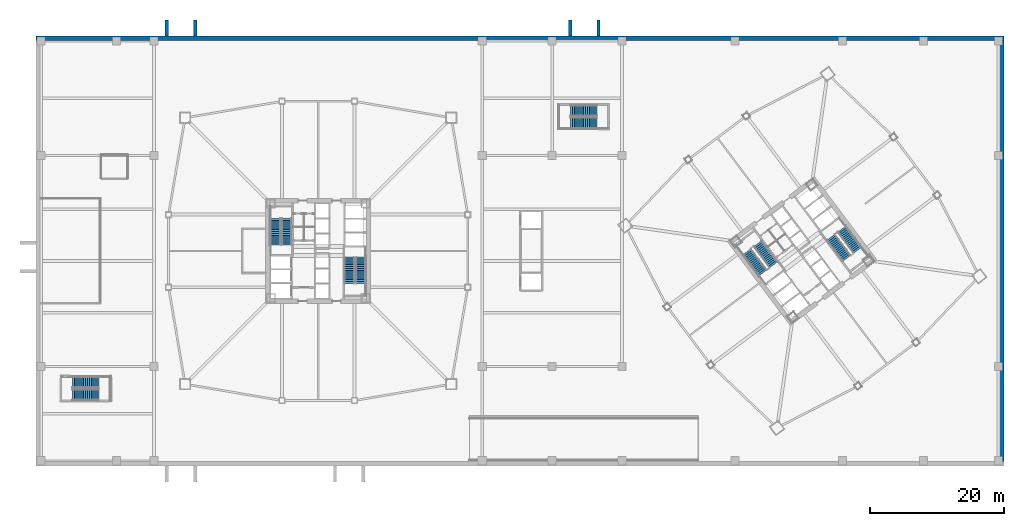
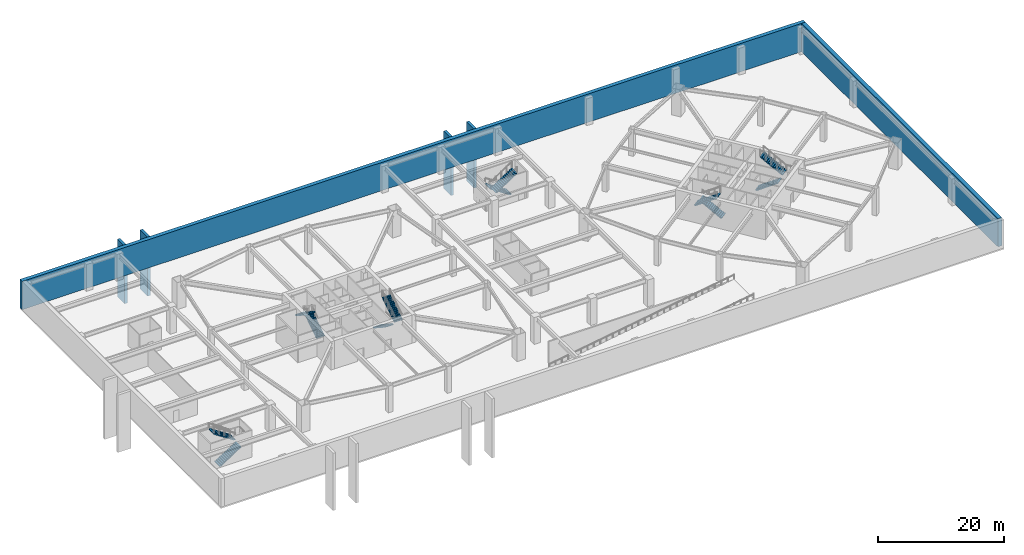
# One storey, part 12 of 17: 12 stair flights, 6 walls, 6 elements without a shape of their own.
"""IFC4 building model written with IfcOpenShell, lengths in metres."""

from ifc_helpers import new_model, si_unit, direction, frame, frame_2d, origin, place, context, subcontext, project, spatial, polyline, rectangle, outline, extrude, material, layer, layer_set, type_object, element, aggregate, save


model = new_model("IFC4")

# Units and contexts
model_context = context("Model", 3, precision=1e-05, world=origin(), true_north=direction((0.0, 1.0)))
body_context = subcontext(model_context, "Body", "Model", "MODEL_VIEW")
ifc_project = project(units=[si_unit("LENGTHUNIT", "METRE"), si_unit("AREAUNIT", "SQUARE_METRE"), si_unit("VOLUMEUNIT", "CUBIC_METRE"), si_unit("PLANEANGLEUNIT", "RADIAN"), si_unit("MASSUNIT", "GRAM", prefix="KILO")], contexts=[model_context])

# Site, building, storey
site_placement = place(None, origin())
site = spatial("IfcSite", under=ifc_project, at=site_placement, CompositionType="ELEMENT")
building_placement = place(site_placement, origin())
building = spatial("IfcBuilding", under=site, at=building_placement, Name="Tashvorn Skyway Center", CompositionType="ELEMENT")
storey_placement = place(building_placement, frame((0.0, 0.0, -5.5)))
storey = spatial("IfcBuildingStorey", under=building, at=storey_placement, Name="B1", CompositionType="ELEMENT", Elevation=-5.5)

# Walls
ifc_material_1 = material(Name="Concrete C50/60", Category="concrete")
ifc_layer_1 = layer(ifc_material_1, 0.5)
ifc_layer_set_1 = layer_set([ifc_layer_1], Name="Concrete C50/60")
wall_type_1 = type_object("IfcWallType", Name="WALL-RET-500", PredefinedType="SOLIDWALL", material=ifc_layer_set_1)
wall_1_placement = place(storey_placement, frame((19.5, 66.35009765625, -6.0), z_axis=(0.0, 0.0, 1.0), x_axis=(0.0, -1.0, 0.0)))
element("IfcWall", 1, at=wall_1_placement, inside=storey, type_object=wall_type_1, Name="Accessible Ramp N1 Concrete Abutment Wall 1", PredefinedType="SOLIDWALL", context=body_context, shape_type="SweptSolid", body=[
    extrude(rectangle(XDim=2.3701171875, YDim=0.5, at=frame_2d((1.18505859375, 0.0))), origin(), (0.0, 0.0, 1.0), 11.14990234375),
])
wall_2_placement = place(storey_placement, frame((23.699951171875, 66.35009765625, -6.0), z_axis=(0.0, 0.0, 1.0), x_axis=(0.0, -1.0, 0.0)))
element("IfcWall", 2, at=wall_2_placement, inside=storey, type_object=wall_type_1, Name="Accessible Ramp N1 Concrete Abutment Wall 2", PredefinedType="SOLIDWALL", context=body_context, shape_type="SweptSolid", body=[
    extrude(rectangle(XDim=2.3701171875, YDim=0.5, at=frame_2d((1.18505859375, 0.0))), origin(), (0.0, 0.0, 1.0), 11.47998046875),
])
wall_3_placement = place(storey_placement, frame((79.5, 66.35009765625, -6.0), z_axis=(0.0, 0.0, 1.0), x_axis=(0.0, -1.0, 0.0)))
element("IfcWall", 3, at=wall_3_placement, inside=storey, type_object=wall_type_1, Name="Accessible Ramp N2 Concrete Abutment Wall 1", PredefinedType="SOLIDWALL", context=body_context, shape_type="SweptSolid", body=[
    extrude(rectangle(XDim=2.3701171875, YDim=0.5, at=frame_2d((1.18505859375, 0.0))), origin(), (0.0, 0.0, 1.0), 11.14990234375),
])
wall_4_placement = place(storey_placement, frame((83.699951171875, 66.35009765625, -6.0), z_axis=(0.0, 0.0, 1.0), x_axis=(0.0, -1.0, 0.0)))
element("IfcWall", 4, at=wall_4_placement, inside=storey, type_object=wall_type_1, Name="Accessible Ramp N2 Concrete Abutment Wall 2", PredefinedType="SOLIDWALL", context=body_context, shape_type="SweptSolid", body=[
    extrude(rectangle(XDim=2.3701171875, YDim=0.5, at=frame_2d((1.18505859375, 0.0))), origin(), (0.0, 0.0, 1.0), 11.47998046875),
])
ifc_material_2 = material(Name="Concrete C60/75", Category="concrete")
ifc_layer_2 = layer(ifc_material_2, 0.699951171875)
ifc_layer_set_2 = layer_set([ifc_layer_2], Name="Concrete C60/75")
wall_type_2 = type_object("IfcWallType", Name="WALL-RET-700", PredefinedType="SOLIDWALL", material=ifc_layer_set_2)
wall_5_placement = place(storey_placement, frame((0.0, 63.64990234375, 0.0), z_axis=(0.0, 0.0, 1.0), x_axis=(1.0, 0.0, 0.0)))
element("IfcWall", 5, at=wall_5_placement, inside=storey, type_object=wall_type_2, Name="B1 Basement Retaining Wall N", PredefinedType="SOLIDWALL", context=body_context, shape_type="SweptSolid", body=[
    extrude(rectangle(XDim=144.0, YDim=0.699951171875, at=frame_2d((72.0, 0.0))), origin(), (0.0, 0.0, 1.0), 5.5),
])
wall_6_placement = place(storey_placement, frame((143.64990234375, 63.300048828125, 0.0), z_axis=(0.0, 0.0, 1.0), x_axis=(0.0, -1.0, 0.0)))
element("IfcWall", 6, at=wall_6_placement, inside=storey, type_object=wall_type_2, Name="B1 Basement Retaining Wall E", PredefinedType="SOLIDWALL", context=body_context, shape_type="SweptSolid", body=[
    extrude(rectangle(XDim=62.60009765625, YDim=0.699951171875, at=frame_2d((31.300048828125, 0.0))), origin(), (0.0, 0.0, 1.0), 5.5),
])

# Stair, stair flights
ifc_material_3 = material(Name="Concrete C40/50", Category="concrete")
stair_type_1 = type_object("IfcStairType", Name="STAIR-CORE-1500", PredefinedType="HALF_TURN_STAIR", material=ifc_material_3)
stair_1_placement = place(storey_placement, origin())
stair_1 = element("IfcStair", 7, at=stair_1_placement, inside=storey, type_object=stair_type_1, Name="B1 Tower 1 Exit Stair 1", PredefinedType="HALF_TURN_STAIR")
stair_flight_type_1 = type_object("IfcStairFlightType", Name="SFLIGHT-1500", PredefinedType="STRAIGHT", material=ifc_material_3)
stair_flight_1_placement = place(storey_placement, frame((37.35009765625, 32.919921875, 0.0), z_axis=(0.0, 0.0, 1.0), x_axis=(0.0, 1.0, 0.0)))
stair_flight_1 = element("IfcStairFlight", 8, at=stair_flight_1_placement, type_object=stair_flight_type_1, Name="ST-T1-1 flight 1", NumberOfRisers=15, NumberOfTreads=14, PredefinedType="STRAIGHT", RiserHeight=0.183333333, TreadLength=0.28, context=body_context, shape_type="SweptSolid", body=[
    extrude(outline(polyline([(0.0, 0.0), (0.0, 0.183349609375), (0.280029296875, 0.183349609375), (0.280029296875, 0.36669921875), (0.56005859375, 0.36669921875), (0.56005859375, 0.550048828125), (0.840087890625, 0.550048828125), (0.840087890625, 0.7333984375), (1.1201171875, 0.7333984375), (1.1201171875, 0.916748046875), (1.39990234375, 0.916748046875), (1.39990234375, 1.10009765625), (1.679931640625, 1.10009765625), (1.679931640625, 1.283447265625), (1.9599609375, 1.283447265625), (1.9599609375, 1.466552734375), (2.239990234375, 1.466552734375), (2.239990234375, 1.64990234375), (2.52001953125, 1.64990234375), (2.52001953125, 1.833251953125), (2.800048828125, 1.833251953125), (2.800048828125, 2.0166015625), (3.080078125, 2.0166015625), (3.080078125, 2.199951171875), (3.360107421875, 2.199951171875), (3.360107421875, 2.38330078125), (3.639892578125, 2.38330078125), (3.639892578125, 2.566650390625), (3.919921875, 2.566650390625), (3.919921875, 2.75), (3.919921875, 2.387451171875), (0.273681640625, 0.0), (0.0, 0.0)])), frame((0.0, 0.75, 0.0), z_axis=(0.0, -1.0, 0.0), x_axis=(1.0, 0.0, 0.0)), (0.0, 0.0, 1.0), 1.5),
])
stair_flight_2_placement = place(storey_placement, frame((35.64990234375, 36.840087890625, 2.75), z_axis=(0.0, 0.0, 1.0), x_axis=(0.0, -1.0, 0.0)))
stair_flight_2 = element("IfcStairFlight", 9, at=stair_flight_2_placement, type_object=stair_flight_type_1, Name="ST-T1-1 flight 2", NumberOfRisers=15, NumberOfTreads=14, PredefinedType="STRAIGHT", RiserHeight=0.183333333, TreadLength=0.28, context=body_context, shape_type="SweptSolid", body=[
    extrude(outline(polyline([(0.0, 0.0), (0.0, 0.183349609375), (0.280029296875, 0.183349609375), (0.280029296875, 0.36669921875), (0.56005859375, 0.36669921875), (0.56005859375, 0.550048828125), (0.840087890625, 0.550048828125), (0.840087890625, 0.7333984375), (1.1201171875, 0.7333984375), (1.1201171875, 0.916748046875), (1.39990234375, 0.916748046875), (1.39990234375, 1.10009765625), (1.679931640625, 1.10009765625), (1.679931640625, 1.283447265625), (1.9599609375, 1.283447265625), (1.9599609375, 1.466552734375), (2.239990234375, 1.466552734375), (2.239990234375, 1.64990234375), (2.52001953125, 1.64990234375), (2.52001953125, 1.833251953125), (2.800048828125, 1.833251953125), (2.800048828125, 2.0166015625), (3.080078125, 2.0166015625), (3.080078125, 2.199951171875), (3.360107421875, 2.199951171875), (3.360107421875, 2.38330078125), (3.639892578125, 2.38330078125), (3.639892578125, 2.566650390625), (3.919921875, 2.566650390625), (3.919921875, 2.75), (3.919921875, 2.387451171875), (0.273681640625, 0.0), (0.0, 0.0)])), frame((0.0, 0.75, 0.0), z_axis=(0.0, -1.0, 0.0), x_axis=(1.0, 0.0, 0.0)), (0.0, 0.0, 1.0), 1.5),
])
aggregate(stair_1, [stair_flight_1, stair_flight_2])

stair_2_placement = place(storey_placement, origin())
stair_2 = element("IfcStair", 10, at=stair_2_placement, inside=storey, type_object=stair_type_1, Name="B1 Tower 1 Exit Stair 2", PredefinedType="HALF_TURN_STAIR")
stair_flight_3_placement = place(storey_placement, frame((46.64990234375, 31.080078125, 0.0), z_axis=(0.0, 0.0, 1.0), x_axis=(0.0, -1.0, 0.0)))
stair_flight_3 = element("IfcStairFlight", 11, at=stair_flight_3_placement, type_object=stair_flight_type_1, Name="ST-T1-2 flight 1", NumberOfRisers=15, NumberOfTreads=14, PredefinedType="STRAIGHT", RiserHeight=0.183333333, TreadLength=0.28, context=body_context, shape_type="SweptSolid", body=[
    extrude(outline(polyline([(0.0, 0.0), (0.0, 0.183349609375), (0.280029296875, 0.183349609375), (0.280029296875, 0.36669921875), (0.56005859375, 0.36669921875), (0.56005859375, 0.550048828125), (0.840087890625, 0.550048828125), (0.840087890625, 0.7333984375), (1.1201171875, 0.7333984375), (1.1201171875, 0.916748046875), (1.39990234375, 0.916748046875), (1.39990234375, 1.10009765625), (1.679931640625, 1.10009765625), (1.679931640625, 1.283447265625), (1.9599609375, 1.283447265625), (1.9599609375, 1.466552734375), (2.239990234375, 1.466552734375), (2.239990234375, 1.64990234375), (2.52001953125, 1.64990234375), (2.52001953125, 1.833251953125), (2.800048828125, 1.833251953125), (2.800048828125, 2.0166015625), (3.080078125, 2.0166015625), (3.080078125, 2.199951171875), (3.360107421875, 2.199951171875), (3.360107421875, 2.38330078125), (3.639892578125, 2.38330078125), (3.639892578125, 2.566650390625), (3.919921875, 2.566650390625), (3.919921875, 2.75), (3.919921875, 2.387451171875), (0.273681640625, 0.0), (0.0, 0.0)])), frame((0.0, 0.75, 0.0), z_axis=(0.0, -1.0, 0.0), x_axis=(1.0, 0.0, 0.0)), (0.0, 0.0, 1.0), 1.5),
])
stair_flight_4_placement = place(storey_placement, frame((48.35009765625, 27.159912109375, 2.75), z_axis=(0.0, 0.0, 1.0), x_axis=(0.0, 1.0, 0.0)))
stair_flight_4 = element("IfcStairFlight", 12, at=stair_flight_4_placement, type_object=stair_flight_type_1, Name="ST-T1-2 flight 2", NumberOfRisers=15, NumberOfTreads=14, PredefinedType="STRAIGHT", RiserHeight=0.183333333, TreadLength=0.28, context=body_context, shape_type="SweptSolid", body=[
    extrude(outline(polyline([(0.0, 0.0), (0.0, 0.183349609375), (0.280029296875, 0.183349609375), (0.280029296875, 0.36669921875), (0.56005859375, 0.36669921875), (0.56005859375, 0.550048828125), (0.840087890625, 0.550048828125), (0.840087890625, 0.7333984375), (1.1201171875, 0.7333984375), (1.1201171875, 0.916748046875), (1.39990234375, 0.916748046875), (1.39990234375, 1.10009765625), (1.679931640625, 1.10009765625), (1.679931640625, 1.283447265625), (1.9599609375, 1.283447265625), (1.9599609375, 1.466552734375), (2.239990234375, 1.466552734375), (2.239990234375, 1.64990234375), (2.52001953125, 1.64990234375), (2.52001953125, 1.833251953125), (2.800048828125, 1.833251953125), (2.800048828125, 2.0166015625), (3.080078125, 2.0166015625), (3.080078125, 2.199951171875), (3.360107421875, 2.199951171875), (3.360107421875, 2.38330078125), (3.639892578125, 2.38330078125), (3.639892578125, 2.566650390625), (3.919921875, 2.566650390625), (3.919921875, 2.75), (3.919921875, 2.387451171875), (0.273681640625, 0.0), (0.0, 0.0)])), frame((0.0, 0.75, 0.0), z_axis=(0.0, -1.0, 0.0), x_axis=(1.0, 0.0, 0.0)), (0.0, 0.0, 1.0), 1.5),
])
aggregate(stair_2, [stair_flight_3, stair_flight_4])

stair_3_placement = place(storey_placement, origin())
stair_3 = element("IfcStair", 13, at=stair_3_placement, inside=storey, type_object=stair_type_1, Name="B1 Tower 2 Exit Stair 1", PredefinedType="HALF_TURN_STAIR")
stair_flight_5_placement = place(storey_placement, frame((109.72802734375, 29.946044921875, 0.0), z_axis=(0.0, 0.0, 1.0), x_axis=(-0.600000004945, 0.799999996291, 0.0)))
stair_flight_5 = element("IfcStairFlight", 14, at=stair_flight_5_placement, type_object=stair_flight_type_1, Name="ST-T2-1 flight 1", NumberOfRisers=15, NumberOfTreads=14, PredefinedType="STRAIGHT", RiserHeight=0.183333333, TreadLength=0.28, context=body_context, shape_type="SweptSolid", body=[
    extrude(outline(polyline([(0.0, 0.0), (0.0, 0.183349609375), (0.280029296875, 0.183349609375), (0.280029296875, 0.36669921875), (0.56005859375, 0.36669921875), (0.56005859375, 0.550048828125), (0.840087890625, 0.550048828125), (0.840087890625, 0.7333984375), (1.1201171875, 0.7333984375), (1.1201171875, 0.916748046875), (1.39990234375, 0.916748046875), (1.39990234375, 1.10009765625), (1.679931640625, 1.10009765625), (1.679931640625, 1.283447265625), (1.9599609375, 1.283447265625), (1.9599609375, 1.466552734375), (2.239990234375, 1.466552734375), (2.239990234375, 1.64990234375), (2.52001953125, 1.64990234375), (2.52001953125, 1.833251953125), (2.800048828125, 1.833251953125), (2.800048828125, 2.0166015625), (3.080078125, 2.0166015625), (3.080078125, 2.199951171875), (3.360107421875, 2.199951171875), (3.360107421875, 2.38330078125), (3.639892578125, 2.38330078125), (3.639892578125, 2.566650390625), (3.919921875, 2.566650390625), (3.919921875, 2.75), (3.919921875, 2.387451171875), (0.273681640625, 0.0), (0.0, 0.0)])), frame((0.0, 0.75, 0.0), z_axis=(0.0, -1.0, 0.0), x_axis=(1.0, 0.0, 0.0)), (0.0, 0.0, 1.0), 1.5),
])
stair_flight_6_placement = place(storey_placement, frame((105.7919921875, 31.89404296875, 2.75), z_axis=(0.0, 0.0, 1.0), x_axis=(0.600000004945, -0.799999996291, 0.0)))
stair_flight_6 = element("IfcStairFlight", 15, at=stair_flight_6_placement, type_object=stair_flight_type_1, Name="ST-T2-1 flight 2", NumberOfRisers=15, NumberOfTreads=14, PredefinedType="STRAIGHT", RiserHeight=0.183333333, TreadLength=0.28, context=body_context, shape_type="SweptSolid", body=[
    extrude(outline(polyline([(0.0, 0.0), (0.0, 0.183349609375), (0.280029296875, 0.183349609375), (0.280029296875, 0.36669921875), (0.56005859375, 0.36669921875), (0.56005859375, 0.550048828125), (0.840087890625, 0.550048828125), (0.840087890625, 0.7333984375), (1.1201171875, 0.7333984375), (1.1201171875, 0.916748046875), (1.39990234375, 0.916748046875), (1.39990234375, 1.10009765625), (1.679931640625, 1.10009765625), (1.679931640625, 1.283447265625), (1.9599609375, 1.283447265625), (1.9599609375, 1.466552734375), (2.239990234375, 1.466552734375), (2.239990234375, 1.64990234375), (2.52001953125, 1.64990234375), (2.52001953125, 1.833251953125), (2.800048828125, 1.833251953125), (2.800048828125, 2.0166015625), (3.080078125, 2.0166015625), (3.080078125, 2.199951171875), (3.360107421875, 2.199951171875), (3.360107421875, 2.38330078125), (3.639892578125, 2.38330078125), (3.639892578125, 2.566650390625), (3.919921875, 2.566650390625), (3.919921875, 2.75), (3.919921875, 2.387451171875), (0.273681640625, 0.0), (0.0, 0.0)])), frame((0.0, 0.75, 0.0), z_axis=(0.0, -1.0, 0.0), x_axis=(1.0, 0.0, 0.0)), (0.0, 0.0, 1.0), 1.5),
])
aggregate(stair_3, [stair_flight_5, stair_flight_6])

stair_4_placement = place(storey_placement, origin())
stair_4 = element("IfcStair", 16, at=stair_4_placement, inside=storey, type_object=stair_type_1, Name="B1 Tower 2 Exit Stair 2", PredefinedType="HALF_TURN_STAIR")
stair_flight_7_placement = place(storey_placement, frame((118.27197265625, 34.053955078125, 0.0), z_axis=(0.0, 0.0, 1.0), x_axis=(0.600000004945, -0.799999996291, 0.0)))
stair_flight_7 = element("IfcStairFlight", 17, at=stair_flight_7_placement, type_object=stair_flight_type_1, Name="ST-T2-2 flight 1", NumberOfRisers=15, NumberOfTreads=14, PredefinedType="STRAIGHT", RiserHeight=0.183333333, TreadLength=0.28, context=body_context, shape_type="SweptSolid", body=[
    extrude(outline(polyline([(0.0, 0.0), (0.0, 0.183349609375), (0.280029296875, 0.183349609375), (0.280029296875, 0.36669921875), (0.56005859375, 0.36669921875), (0.56005859375, 0.550048828125), (0.840087890625, 0.550048828125), (0.840087890625, 0.7333984375), (1.1201171875, 0.7333984375), (1.1201171875, 0.916748046875), (1.39990234375, 0.916748046875), (1.39990234375, 1.10009765625), (1.679931640625, 1.10009765625), (1.679931640625, 1.283447265625), (1.9599609375, 1.283447265625), (1.9599609375, 1.466552734375), (2.239990234375, 1.466552734375), (2.239990234375, 1.64990234375), (2.52001953125, 1.64990234375), (2.52001953125, 1.833251953125), (2.800048828125, 1.833251953125), (2.800048828125, 2.0166015625), (3.080078125, 2.0166015625), (3.080078125, 2.199951171875), (3.360107421875, 2.199951171875), (3.360107421875, 2.38330078125), (3.639892578125, 2.38330078125), (3.639892578125, 2.566650390625), (3.919921875, 2.566650390625), (3.919921875, 2.75), (3.919921875, 2.387451171875), (0.273681640625, 0.0), (0.0, 0.0)])), frame((0.0, 0.75, 0.0), z_axis=(0.0, -1.0, 0.0), x_axis=(1.0, 0.0, 0.0)), (0.0, 0.0, 1.0), 1.5),
])
stair_flight_8_placement = place(storey_placement, frame((122.2080078125, 32.10595703125, 2.75), z_axis=(0.0, 0.0, 1.0), x_axis=(-0.600000004945, 0.799999996291, 0.0)))
stair_flight_8 = element("IfcStairFlight", 18, at=stair_flight_8_placement, type_object=stair_flight_type_1, Name="ST-T2-2 flight 2", NumberOfRisers=15, NumberOfTreads=14, PredefinedType="STRAIGHT", RiserHeight=0.183333333, TreadLength=0.28, context=body_context, shape_type="SweptSolid", body=[
    extrude(outline(polyline([(0.0, 0.0), (0.0, 0.183349609375), (0.280029296875, 0.183349609375), (0.280029296875, 0.36669921875), (0.56005859375, 0.36669921875), (0.56005859375, 0.550048828125), (0.840087890625, 0.550048828125), (0.840087890625, 0.7333984375), (1.1201171875, 0.7333984375), (1.1201171875, 0.916748046875), (1.39990234375, 0.916748046875), (1.39990234375, 1.10009765625), (1.679931640625, 1.10009765625), (1.679931640625, 1.283447265625), (1.9599609375, 1.283447265625), (1.9599609375, 1.466552734375), (2.239990234375, 1.466552734375), (2.239990234375, 1.64990234375), (2.52001953125, 1.64990234375), (2.52001953125, 1.833251953125), (2.800048828125, 1.833251953125), (2.800048828125, 2.0166015625), (3.080078125, 2.0166015625), (3.080078125, 2.199951171875), (3.360107421875, 2.199951171875), (3.360107421875, 2.38330078125), (3.639892578125, 2.38330078125), (3.639892578125, 2.566650390625), (3.919921875, 2.566650390625), (3.919921875, 2.75), (3.919921875, 2.387451171875), (0.273681640625, 0.0), (0.0, 0.0)])), frame((0.0, 0.75, 0.0), z_axis=(0.0, -1.0, 0.0), x_axis=(1.0, 0.0, 0.0)), (0.0, 0.0, 1.0), 1.5),
])
aggregate(stair_4, [stair_flight_7, stair_flight_8])

stair_type_2 = type_object("IfcStairType", Name="STAIR-POD-1650", PredefinedType="HALF_TURN_STAIR", material=ifc_material_3)
stair_5_placement = place(storey_placement, origin())
stair_5 = element("IfcStair", 19, at=stair_5_placement, inside=storey, type_object=stair_type_2, Name="B1 Podium West Exit Stair 1", PredefinedType="HALF_TURN_STAIR")
stair_flight_type_2 = type_object("IfcStairFlightType", Name="SFLIGHT-1650", PredefinedType="STRAIGHT", material=ifc_material_3)
stair_flight_9_placement = place(storey_placement, frame((5.449951171875, 10.625, 0.0), z_axis=(0.0, 0.0, 1.0), x_axis=(1.0, 0.0, 0.0)))
stair_flight_9 = element("IfcStairFlight", 20, at=stair_flight_9_placement, type_object=stair_flight_type_2, Name="ST-POD-1 flight 1", NumberOfRisers=15, NumberOfTreads=14, PredefinedType="STRAIGHT", RiserHeight=0.183333333, TreadLength=0.28, context=body_context, shape_type="SweptSolid", body=[
    extrude(outline(polyline([(0.0, 0.0), (0.0, 0.183349609375), (0.280029296875, 0.183349609375), (0.280029296875, 0.36669921875), (0.56005859375, 0.36669921875), (0.56005859375, 0.550048828125), (0.840087890625, 0.550048828125), (0.840087890625, 0.7333984375), (1.1201171875, 0.7333984375), (1.1201171875, 0.916748046875), (1.39990234375, 0.916748046875), (1.39990234375, 1.10009765625), (1.679931640625, 1.10009765625), (1.679931640625, 1.283447265625), (1.9599609375, 1.283447265625), (1.9599609375, 1.466552734375), (2.239990234375, 1.466552734375), (2.239990234375, 1.64990234375), (2.52001953125, 1.64990234375), (2.52001953125, 1.833251953125), (2.800048828125, 1.833251953125), (2.800048828125, 2.0166015625), (3.080078125, 2.0166015625), (3.080078125, 2.199951171875), (3.360107421875, 2.199951171875), (3.360107421875, 2.38330078125), (3.639892578125, 2.38330078125), (3.639892578125, 2.566650390625), (3.919921875, 2.566650390625), (3.919921875, 2.75), (3.919921875, 2.387451171875), (0.273681640625, 0.0), (0.0, 0.0)])), frame((0.0, 0.824951171875, 0.0), z_axis=(0.0, -1.0, 0.0), x_axis=(1.0, 0.0, 0.0)), (0.0, 0.0, 1.0), 1.64990234375),
])
stair_flight_10_placement = place(storey_placement, frame((9.3701171875, 12.47509765625, 2.75), z_axis=(0.0, 0.0, 1.0), x_axis=(-1.0, 0.0, 0.0)))
stair_flight_10 = element("IfcStairFlight", 21, at=stair_flight_10_placement, type_object=stair_flight_type_2, Name="ST-POD-1 flight 2", NumberOfRisers=15, NumberOfTreads=14, PredefinedType="STRAIGHT", RiserHeight=0.183333333, TreadLength=0.28, context=body_context, shape_type="SweptSolid", body=[
    extrude(outline(polyline([(0.0, 0.0), (0.0, 0.183349609375), (0.280029296875, 0.183349609375), (0.280029296875, 0.36669921875), (0.56005859375, 0.36669921875), (0.56005859375, 0.550048828125), (0.840087890625, 0.550048828125), (0.840087890625, 0.7333984375), (1.1201171875, 0.7333984375), (1.1201171875, 0.916748046875), (1.39990234375, 0.916748046875), (1.39990234375, 1.10009765625), (1.679931640625, 1.10009765625), (1.679931640625, 1.283447265625), (1.9599609375, 1.283447265625), (1.9599609375, 1.466552734375), (2.239990234375, 1.466552734375), (2.239990234375, 1.64990234375), (2.52001953125, 1.64990234375), (2.52001953125, 1.833251953125), (2.800048828125, 1.833251953125), (2.800048828125, 2.0166015625), (3.080078125, 2.0166015625), (3.080078125, 2.199951171875), (3.360107421875, 2.199951171875), (3.360107421875, 2.38330078125), (3.639892578125, 2.38330078125), (3.639892578125, 2.566650390625), (3.919921875, 2.566650390625), (3.919921875, 2.75), (3.919921875, 2.387451171875), (0.273681640625, 0.0), (0.0, 0.0)])), frame((0.0, 0.824951171875, 0.0), z_axis=(0.0, -1.0, 0.0), x_axis=(1.0, 0.0, 0.0)), (0.0, 0.0, 1.0), 1.64990234375),
])
aggregate(stair_5, [stair_flight_9, stair_flight_10])

stair_6_placement = place(storey_placement, origin())
stair_6 = element("IfcStair", 22, at=stair_6_placement, inside=storey, type_object=stair_type_2, Name="B1 Podium East Exit Stair 2", PredefinedType="HALF_TURN_STAIR")
stair_flight_11_placement = place(storey_placement, frame((83.449951171875, 52.875, 0.0), z_axis=(0.0, 0.0, 1.0), x_axis=(-1.0, 0.0, 0.0)))
stair_flight_11 = element("IfcStairFlight", 23, at=stair_flight_11_placement, type_object=stair_flight_type_2, Name="ST-POD-2 flight 1", NumberOfRisers=15, NumberOfTreads=14, PredefinedType="STRAIGHT", RiserHeight=0.183333333, TreadLength=0.28, context=body_context, shape_type="SweptSolid", body=[
    extrude(outline(polyline([(0.0, 0.0), (0.0, 0.183349609375), (0.280029296875, 0.183349609375), (0.280029296875, 0.36669921875), (0.56005859375, 0.36669921875), (0.56005859375, 0.550048828125), (0.840087890625, 0.550048828125), (0.840087890625, 0.7333984375), (1.1201171875, 0.7333984375), (1.1201171875, 0.916748046875), (1.39990234375, 0.916748046875), (1.39990234375, 1.10009765625), (1.679931640625, 1.10009765625), (1.679931640625, 1.283447265625), (1.9599609375, 1.283447265625), (1.9599609375, 1.466552734375), (2.239990234375, 1.466552734375), (2.239990234375, 1.64990234375), (2.52001953125, 1.64990234375), (2.52001953125, 1.833251953125), (2.800048828125, 1.833251953125), (2.800048828125, 2.0166015625), (3.080078125, 2.0166015625), (3.080078125, 2.199951171875), (3.360107421875, 2.199951171875), (3.360107421875, 2.38330078125), (3.639892578125, 2.38330078125), (3.639892578125, 2.566650390625), (3.919921875, 2.566650390625), (3.919921875, 2.75), (3.919921875, 2.387451171875), (0.273681640625, 0.0), (0.0, 0.0)])), frame((0.0, 0.824951171875, 0.0), z_axis=(0.0, -1.0, 0.0), x_axis=(1.0, 0.0, 0.0)), (0.0, 0.0, 1.0), 1.64990234375),
])
stair_flight_12_placement = place(storey_placement, frame((79.530029296875, 51.02490234375, 2.75), z_axis=(0.0, 0.0, 1.0), x_axis=(1.0, 0.0, 0.0)))
stair_flight_12 = element("IfcStairFlight", 24, at=stair_flight_12_placement, type_object=stair_flight_type_2, Name="ST-POD-2 flight 2", NumberOfRisers=15, NumberOfTreads=14, PredefinedType="STRAIGHT", RiserHeight=0.183333333, TreadLength=0.28, context=body_context, shape_type="SweptSolid", body=[
    extrude(outline(polyline([(0.0, 0.0), (0.0, 0.183349609375), (0.280029296875, 0.183349609375), (0.280029296875, 0.36669921875), (0.56005859375, 0.36669921875), (0.56005859375, 0.550048828125), (0.840087890625, 0.550048828125), (0.840087890625, 0.7333984375), (1.1201171875, 0.7333984375), (1.1201171875, 0.916748046875), (1.39990234375, 0.916748046875), (1.39990234375, 1.10009765625), (1.679931640625, 1.10009765625), (1.679931640625, 1.283447265625), (1.9599609375, 1.283447265625), (1.9599609375, 1.466552734375), (2.239990234375, 1.466552734375), (2.239990234375, 1.64990234375), (2.52001953125, 1.64990234375), (2.52001953125, 1.833251953125), (2.800048828125, 1.833251953125), (2.800048828125, 2.0166015625), (3.080078125, 2.0166015625), (3.080078125, 2.199951171875), (3.360107421875, 2.199951171875), (3.360107421875, 2.38330078125), (3.639892578125, 2.38330078125), (3.639892578125, 2.566650390625), (3.919921875, 2.566650390625), (3.919921875, 2.75), (3.919921875, 2.387451171875), (0.273681640625, 0.0), (0.0, 0.0)])), frame((0.0, 0.824951171875, 0.0), z_axis=(0.0, -1.0, 0.0), x_axis=(1.0, 0.0, 0.0)), (0.0, 0.0, 1.0), 1.64990234375),
])
aggregate(stair_6, [stair_flight_11, stair_flight_12])

save(model, "model.ifc")
